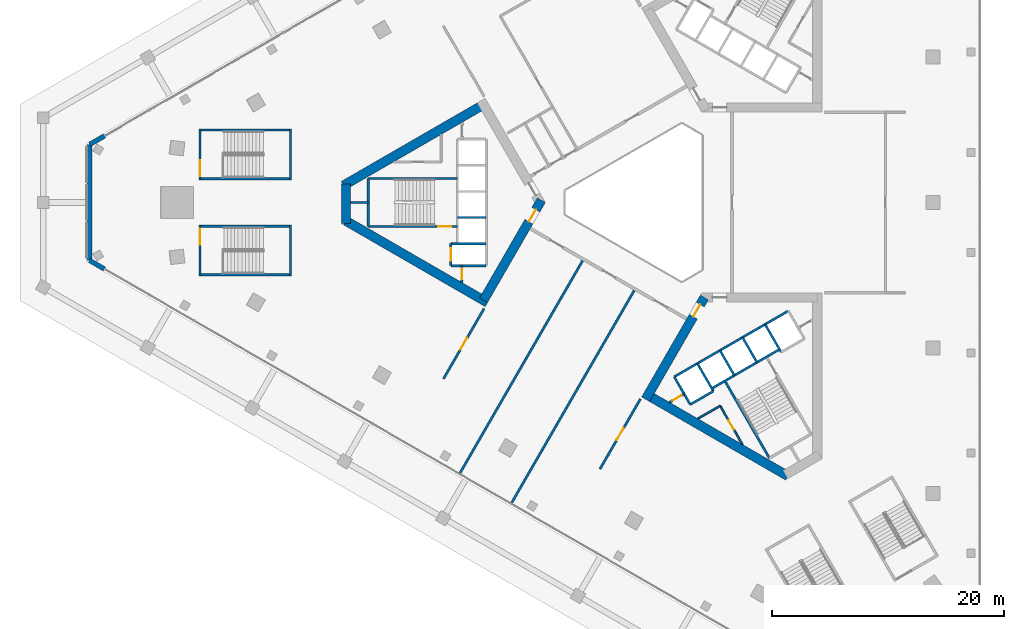
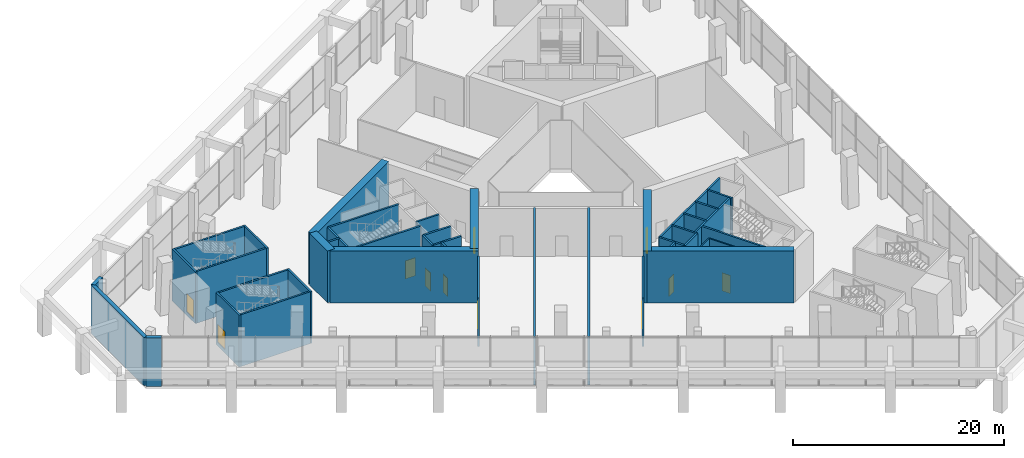
# One storey, part 26 of 51: 42 walls, 11 doors, 11 openings.
"""IFC4 building model written with IfcOpenShell, lengths in metres."""

from ifc_helpers import new_model, si_unit, direction, frame, frame_2d, origin, place, context, subcontext, project, spatial, rectangle, extrude, material, layer, layer_set, type_object, element, fill, save


model = new_model("IFC4")

# Units and contexts
model_context = context("Model", 3, precision=1e-05, world=origin(), true_north=direction((0.0, 1.0)))
body_context = subcontext(model_context, "Body", "Model", "MODEL_VIEW")
ifc_project = project(units=[si_unit("LENGTHUNIT", "METRE"), si_unit("AREAUNIT", "SQUARE_METRE"), si_unit("VOLUMEUNIT", "CUBIC_METRE"), si_unit("PLANEANGLEUNIT", "RADIAN"), si_unit("MASSUNIT", "GRAM", prefix="KILO")], contexts=[model_context])

# Site, building, storey
site_placement = place(None, origin())
site = spatial("IfcSite", under=ifc_project, at=site_placement, CompositionType="ELEMENT")
building_placement = place(site_placement, origin())
building = spatial("IfcBuilding", under=site, at=building_placement, Name="Jabali Bay Hotel Tower and Convention Centre", CompositionType="ELEMENT")
storey_placement = place(building_placement, frame((0.0, 0.0, 9.0)))
storey = spatial("IfcBuildingStorey", under=building, at=storey_placement, Name="L01", CompositionType="ELEMENT", Elevation=9.0)

# Wall
ifc_material_1 = material(Name="Concrete C40", Category="concrete")
ifc_layer_1 = layer(ifc_material_1, 0.199951171875)
ifc_layer_set_1 = layer_set([ifc_layer_1], Name="Concrete C40")
wall_type_1 = type_object("IfcWallType", Name="Core partition wall 200", PredefinedType="PARTITIONING", material=ifc_layer_set_1)
wall_1_placement = place(storey_placement, frame((50.820068359375, 80.0, 0.0), z_axis=(0.0, 0.0, 1.0), x_axis=(-1.0, 0.0, 0.0)))
element("IfcWall", 1, at=wall_1_placement, inside=storey, type_object=wall_type_1, Name="Core wall 0.5 L01", PredefinedType="PARTITIONING", context=body_context, shape_type="SweptSolid", body=[
    extrude(rectangle(XDim=1.623046875, YDim=0.199951171875, at=frame_2d((0.8115234375, 0.0))), origin(), (0.0, 0.0, 1.0), 5.60009765625),
])

# Wall, opening, door
wall_2_placement = place(storey_placement, frame((58.800048828125, 74.550048828125, 0.0), z_axis=(0.0, 0.0, 1.0), x_axis=(0.0, -1.0, 0.0)))
wall_2 = element("IfcWall", 2, at=wall_2_placement, inside=storey, type_object=wall_type_1, Name="Core wall 0.12 L01", PredefinedType="PARTITIONING", context=body_context, shape_type="SweptSolid", body=[
    extrude(rectangle(XDim=1.455078125, YDim=0.199951171875, at=frame_2d((0.7275390625, 0.0))), origin(), (0.0, 0.0, 1.0), 5.60009765625),
])
opening_1_placement = place(wall_2_placement, frame((0.277587890625, 0.0, 0.0)))
opening_1 = element("IfcOpeningElement", 3, at=opening_1_placement, cuts=wall_2, Name="Opening D128", PredefinedType="OPENING", context=body_context, shape_type="SweptSolid", body=[
    extrude(rectangle(XDim=0.89990234375, YDim=2.10009765625, at=frame_2d((0.449951171875, 1.050048828125))), frame((0.0, 0.1103515625, 0.0), z_axis=(0.0, -1.0, 0.0), x_axis=(1.0, 0.0, 0.0)), (0.0, 0.0, 1.0), 0.220947265625),
])
ifc_material_2 = material(Name="Fire-rated steel door", Category="steel")
door_type_1 = type_object("IfcDoorType", Name="Vestibule fire door 900 x 2100", OperationType="NOTDEFINED", PredefinedType="NOTDEFINED", material=ifc_material_2)
door_1_placement = place(opening_1_placement, origin())
door_1 = element("IfcDoor", 4, at=door_1_placement, inside=storey, type_object=door_type_1, Name="Vestibule fire door D128", OperationType="SINGLE_SWING_LEFT", OverallHeight=2.10009765625, OverallWidth=0.89990234375, PredefinedType="NOTDEFINED", context=body_context, shape_type="SweptSolid", body=[
    extrude(rectangle(XDim=0.89990234375, YDim=2.10009765625, at=frame_2d((0.449951171875, 1.050048828125))), frame((0.0, 0.02490234375, 0.0), z_axis=(0.0, -1.0, 0.0), x_axis=(1.0, 0.0, 0.0)), (0.0, 0.0, 1.0), 0.050048828125),
])
fill(opening_1, door_1)

wall_3_placement = place(storey_placement, frame((76.719970703125, 62.748779296875, 0.0), z_axis=(0.0, 0.0, 1.0), x_axis=(0.866054810376, 0.49994906283, 0.0)))
wall_3 = element("IfcWall", 5, at=wall_3_placement, inside=storey, type_object=wall_type_1, Name="Core wall 2.11 L01", PredefinedType="PARTITIONING", context=body_context, shape_type="SweptSolid", body=[
    extrude(rectangle(XDim=1.461181640625, YDim=0.199951171875, at=frame_2d((0.73046875, 0.0))), origin(), (0.0, 0.0, 1.0), 5.60009765625),
])
opening_2_placement = place(wall_3_placement, frame((0.280517578125, 0.0, 0.0)))
opening_2 = element("IfcOpeningElement", 6, at=opening_2_placement, cuts=wall_3, Name="Opening D141", PredefinedType="OPENING", context=body_context, shape_type="SweptSolid", body=[
    extrude(rectangle(XDim=0.89990234375, YDim=2.10009765625, at=frame_2d((0.449951171875, 1.050048828125))), frame((0.0, 0.1103515625, 0.0), z_axis=(0.0, -1.0, 0.0), x_axis=(1.0, 0.0, 0.0)), (0.0, 0.0, 1.0), 0.220947265625),
])
door_2_placement = place(opening_2_placement, origin())
door_2 = element("IfcDoor", 7, at=door_2_placement, inside=storey, type_object=door_type_1, Name="Vestibule fire door D141", OperationType="SINGLE_SWING_LEFT", OverallHeight=2.10009765625, OverallWidth=0.89990234375, PredefinedType="NOTDEFINED", context=body_context, shape_type="SweptSolid", body=[
    extrude(rectangle(XDim=0.89990234375, YDim=2.10009765625, at=frame_2d((0.449951171875, 1.050048828125))), frame((0.0, 0.02490234375, 0.0), z_axis=(0.0, -1.0, 0.0), x_axis=(1.0, 0.0, 0.0)), (0.0, 0.0, 1.0), 0.050048828125),
])
fill(opening_2, door_2)

ifc_material_3 = material(Name="Fire-rated board partition")
ifc_layer_2 = layer(ifc_material_3, 0.14990234375)
ifc_layer_set_2 = layer_set([ifc_layer_2], Name="Fire-rated board partition")
wall_type_2 = type_object("IfcWallType", Name="Core room partition 150", PredefinedType="PARTITIONING", material=ifc_layer_set_2)
wall_4_placement = place(storey_placement, frame((81.093994140625, 62.445068359375, 0.0), z_axis=(0.0, 0.0, 1.0), x_axis=(0.499987921047, -0.866032377459, 0.0)))
wall_4 = element("IfcWall", 8, at=wall_4_placement, inside=storey, type_object=wall_type_2, Name="Core wall 2.1 L01", PredefinedType="PARTITIONING", context=body_context, shape_type="SweptSolid", body=[
    extrude(rectangle(XDim=3.84765625, YDim=0.14990234375, at=frame_2d((1.923828125, 0.0))), origin(), (0.0, 0.0, 1.0), 5.60009765625),
])
opening_3_placement = place(wall_4_placement, frame((1.446533203125, 0.0, 0.0)))
opening_3 = element("IfcOpeningElement", 9, at=opening_3_placement, cuts=wall_4, Name="Opening D143", PredefinedType="OPENING", context=body_context, shape_type="SweptSolid", body=[
    extrude(rectangle(XDim=0.89990234375, YDim=2.10009765625, at=frame_2d((0.449951171875, 1.050048828125))), frame((0.0, 0.08544921875, 0.0), z_axis=(0.0, -1.0, 0.0), x_axis=(1.0, 0.0, 0.0)), (0.0, 0.0, 1.0), 0.1708984375),
])
door_type_2 = type_object("IfcDoorType", Name="Core room door 900 x 2100", OperationType="NOTDEFINED", PredefinedType="NOTDEFINED", material=ifc_material_2)
door_3_placement = place(opening_3_placement, origin())
door_3 = element("IfcDoor", 10, at=door_3_placement, inside=storey, type_object=door_type_2, Name="Core room door D143", OperationType="SINGLE_SWING_LEFT", OverallHeight=2.10009765625, OverallWidth=0.89990234375, PredefinedType="NOTDEFINED", context=body_context, shape_type="SweptSolid", body=[
    extrude(rectangle(XDim=0.89990234375, YDim=2.10009765625, at=frame_2d((0.449951171875, 1.050048828125))), frame((0.0, 0.02490234375, 0.0), z_axis=(0.0, -1.0, 0.0), x_axis=(1.0, 0.0, 0.0)), (0.0, 0.0, 1.0), 0.050048828125),
])
fill(opening_3, door_3)

# Walls
wall_5_placement = place(storey_placement, frame((79.169921875, 61.334228515625, 0.0), z_axis=(0.0, 0.0, 1.0), x_axis=(0.866030041738, 0.499991966744, 0.0)))
element("IfcWall", 11, at=wall_5_placement, inside=storey, type_object=wall_type_2, Name="Core wall 2.16 L01", PredefinedType="PARTITIONING", context=body_context, shape_type="SweptSolid", body=[
    extrude(rectangle(XDim=2.2216796875, YDim=0.14990234375, at=frame_2d((1.11083984375, 0.0))), origin(), (0.0, 0.0, 1.0), 5.60009765625),
])
ifc_layer_3 = layer(ifc_material_1, 0.199951171875)
ifc_layer_set_3 = layer_set([ifc_layer_3], Name="Concrete C40")
wall_type_3 = type_object("IfcWallType", Name="Core stair wall 200", PredefinedType="SOLIDWALL", material=ifc_layer_set_3)
wall_6_placement = place(storey_placement, frame((58.419921875, 82.074951171875, 0.0), z_axis=(0.0, 0.0, 1.0), x_axis=(-1.0, 0.0, 0.0)))
element("IfcWall", 12, at=wall_6_placement, inside=storey, type_object=wall_type_3, Name="Core wall 0.3 L01", PredefinedType="SOLIDWALL", context=body_context, shape_type="SweptSolid", body=[
    extrude(rectangle(XDim=7.699951171875, YDim=0.199951171875, at=frame_2d((3.85009765625, 0.0))), origin(), (0.0, 0.0, 1.0), 5.60009765625),
])
wall_7_placement = place(storey_placement, frame((60.89990234375, 78.699951171875, 0.0), z_axis=(0.0, 0.0, 1.0), x_axis=(-1.0, 0.0, 0.0)))
element("IfcWall", 13, at=wall_7_placement, inside=storey, type_object=wall_type_3, Name="Core wall 0.6 L01", PredefinedType="SOLIDWALL", context=body_context, shape_type="SweptSolid", body=[
    extrude(rectangle(XDim=2.47998046875, YDim=0.199951171875, at=frame_2d((1.239990234375, 0.0))), origin(), (0.0, 0.0, 1.0), 5.60009765625),
])

# Wall, opening, door
wall_8_placement = place(storey_placement, frame((58.419921875, 77.925048828125, 0.0), z_axis=(0.0, 0.0, 1.0), x_axis=(-1.0, 0.0, 0.0)))
wall_8 = element("IfcWall", 14, at=wall_8_placement, inside=storey, type_object=wall_type_3, Name="Core wall 0.7 L01", PredefinedType="SOLIDWALL", context=body_context, shape_type="SweptSolid", body=[
    extrude(rectangle(XDim=7.699951171875, YDim=0.199951171875, at=frame_2d((3.85009765625, 0.0))), origin(), (0.0, 0.0, 1.0), 5.60009765625),
])
opening_4_placement = place(wall_8_placement, frame((0.550048828125, 0.0, 0.0)))
opening_4 = element("IfcOpeningElement", 15, at=opening_4_placement, cuts=wall_8, Name="Opening D130", PredefinedType="OPENING", context=body_context, shape_type="SweptSolid", body=[
    extrude(rectangle(XDim=1.10009765625, YDim=2.10009765625, at=frame_2d((0.550048828125, 1.050048828125))), frame((0.0, 0.1103515625, 0.0), z_axis=(0.0, -1.0, 0.0), x_axis=(1.0, 0.0, 0.0)), (0.0, 0.0, 1.0), 0.220947265625),
])
door_type_3 = type_object("IfcDoorType", Name="Stair fire door 1100 x 2100", OperationType="NOTDEFINED", PredefinedType="NOTDEFINED", material=ifc_material_2)
door_4_placement = place(opening_4_placement, origin())
door_4 = element("IfcDoor", 16, at=door_4_placement, inside=storey, type_object=door_type_3, Name="Stair fire door D130", OperationType="SINGLE_SWING_RIGHT", OverallHeight=2.10009765625, OverallWidth=1.10009765625, PredefinedType="NOTDEFINED", context=body_context, shape_type="SweptSolid", body=[
    extrude(rectangle(XDim=1.10009765625, YDim=2.10009765625, at=frame_2d((0.550048828125, 1.050048828125))), frame((0.0, 0.02490234375, 0.0), z_axis=(0.0, -1.0, 0.0), x_axis=(1.0, 0.0, 0.0)), (0.0, 0.0, 1.0), 0.050048828125),
])
fill(opening_4, door_4)

# Walls
for number, where, z_axis, x_axis, name in (
    (17, (60.89990234375, 76.449951171875, 0.0), (0.0, 0.0, 1.0), (-1.0, 0.0, 0.0), "Core wall 0.8 L01"),
    (18, (60.89990234375, 74.550048828125, 0.0), (0.0, 0.0, 1.0), (-1.0, 0.0, 0.0), "Core wall 0.9 L01"),
):
    element("IfcWall", number, at=place(storey_placement, frame(where, z_axis=z_axis, x_axis=x_axis)), inside=storey, type_object=wall_type_3, Name=name, PredefinedType="SOLIDWALL", context=body_context, shape_type="SweptSolid", body=[
        extrude(rectangle(XDim=3.0498046875, YDim=0.199951171875, at=frame_2d((1.52490234375, 0.0))), origin(), (0.0, 0.0, 1.0), 5.60009765625),
    ])

# Wall, opening, door
wall_9_placement = place(storey_placement, frame((57.85009765625, 76.449951171875, 0.0), z_axis=(0.0, 0.0, 1.0), x_axis=(0.0, -1.0, 0.0)))
wall_9 = element("IfcWall", 19, at=wall_9_placement, inside=storey, type_object=wall_type_3, Name="Core wall 0.14 L01", PredefinedType="SOLIDWALL", context=body_context, shape_type="SweptSolid", body=[
    extrude(rectangle(XDim=1.89990234375, YDim=0.199951171875, at=frame_2d((0.949951171875, 0.0))), origin(), (0.0, 0.0, 1.0), 5.60009765625),
])
opening_5_placement = place(wall_9_placement, frame((0.39990234375, 0.0, 0.0)))
opening_5 = element("IfcOpeningElement", 20, at=opening_5_placement, cuts=wall_9, Name="Opening LD5-L01", PredefinedType="OPENING", context=body_context, shape_type="SweptSolid", body=[
    extrude(rectangle(XDim=1.10009765625, YDim=2.10009765625, at=frame_2d((0.550048828125, 1.050048828125))), frame((0.0, 0.1103515625, 0.0), z_axis=(0.0, -1.0, 0.0), x_axis=(1.0, 0.0, 0.0)), (0.0, 0.0, 1.0), 0.220947265625),
])
ifc_material_4 = material(Name="Stainless steel landing door", Category="steel")
door_type_4 = type_object("IfcDoorType", Name="Landing door 1100 x 2100", OperationType="NOTDEFINED", PredefinedType="NOTDEFINED", material=ifc_material_4)
door_5_placement = place(opening_5_placement, origin())
door_5 = element("IfcDoor", 21, at=door_5_placement, inside=storey, type_object=door_type_4, Name="Landing doors LD5-L01", OperationType="SLIDING_TO_RIGHT", OverallHeight=2.10009765625, OverallWidth=1.10009765625, PredefinedType="NOTDEFINED", context=body_context, shape_type="SweptSolid", body=[
    extrude(rectangle(XDim=1.10009765625, YDim=2.10009765625, at=frame_2d((0.550048828125, 1.050048828125))), frame((0.0, 0.02490234375, 0.0), z_axis=(0.0, -1.0, 0.0), x_axis=(1.0, 0.0, 0.0)), (0.0, 0.0, 1.0), 0.050048828125),
])
fill(opening_5, door_5)

# Walls
wall_10_placement = place(storey_placement, frame((50.719970703125, 82.074951171875, 0.0), z_axis=(0.0, 0.0, 1.0), x_axis=(0.0, -1.0, 0.0)))
element("IfcWall", 22, at=wall_10_placement, inside=storey, type_object=wall_type_3, Name="Core wall 0.16 L01", PredefinedType="SOLIDWALL", context=body_context, shape_type="SweptSolid", body=[
    extrude(rectangle(XDim=4.14990234375, YDim=0.199951171875, at=frame_2d((2.074951171875, 0.0))), origin(), (0.0, 0.0, 1.0), 5.60009765625),
])
for number, where, z_axis, x_axis, name in (
    (23, (77.13525390625, 64.95166015625, 0.0), (0.0, 0.0, 1.0), (0.499996545922, -0.866027397988, 0.0), "Core wall 2.0 L01"),
    (24, (79.127197265625, 66.1015625, 0.0), (0.0, 0.0, 1.0), (0.499996545922, -0.866027397988, 0.0), "Core wall 2.2 L01"),
):
    element("IfcWall", number, at=place(storey_placement, frame(where, z_axis=z_axis, x_axis=x_axis)), inside=storey, type_object=wall_type_3, Name=name, PredefinedType="SOLIDWALL", context=body_context, shape_type="SweptSolid", body=[
        extrude(rectangle(XDim=2.75, YDim=0.199951171875, at=frame_2d((1.375, 0.0))), origin(), (0.0, 0.0, 1.0), 5.60009765625),
    ])
wall_11_placement = place(storey_placement, frame((81.492919921875, 64.603759765625, 0.0), z_axis=(0.0, 0.0, 1.0), x_axis=(0.500006057782, -0.866021906294, 0.0)))
element("IfcWall", 25, at=wall_11_placement, inside=storey, type_object=wall_type_3, Name="Core wall 2.3 L01", PredefinedType="SOLIDWALL", context=body_context, shape_type="SweptSolid", body=[
    extrude(rectangle(XDim=7.7001953125, YDim=0.199951171875, at=frame_2d((3.85009765625, 0.0))), origin(), (0.0, 0.0, 1.0), 5.60009765625),
])
for number, where, z_axis, x_axis, name in (
    (26, (81.07568359375, 67.2265625, 0.0), (0.0, 0.0, 1.0), (0.50000366821, -0.866023285932, 0.0), "Core wall 2.4 L01"),
    (27, (83.024169921875, 68.3515625, 0.0), (0.0, 0.0, 1.0), (0.50000366821, -0.866023285932, 0.0), "Core wall 2.6 L01"),
):
    element("IfcWall", number, at=place(storey_placement, frame(where, z_axis=z_axis, x_axis=x_axis)), inside=storey, type_object=wall_type_3, Name=name, PredefinedType="SOLIDWALL", context=body_context, shape_type="SweptSolid", body=[
        extrude(rectangle(XDim=2.47998046875, YDim=0.199951171875, at=frame_2d((1.239990234375, 0.0))), origin(), (0.0, 0.0, 1.0), 5.60009765625),
    ])
wall_12_placement = place(storey_placement, frame((84.972900390625, 69.4765625, 0.0), z_axis=(0.0, 0.0, 1.0), x_axis=(0.499996545922, -0.866027397988, 0.0)))
element("IfcWall", 28, at=wall_12_placement, inside=storey, type_object=wall_type_3, Name="Core wall 2.8 L01", PredefinedType="SOLIDWALL", context=body_context, shape_type="SweptSolid", body=[
    extrude(rectangle(XDim=2.75, YDim=0.199951171875, at=frame_2d((1.375, 0.0))), origin(), (0.0, 0.0, 1.0), 5.60009765625),
])
wall_13_placement = place(storey_placement, frame((77.13525390625, 64.95166015625, 0.0), z_axis=(0.0, 0.0, 1.0), x_axis=(0.866031916153, 0.499988720078, 0.0)))
element("IfcWall", 29, at=wall_13_placement, inside=storey, type_object=wall_type_3, Name="Core wall 2.10 L01", PredefinedType="SOLIDWALL", context=body_context, shape_type="SweptSolid", body=[
    extrude(rectangle(XDim=11.349853515625, YDim=0.199951171875, at=frame_2d((5.6748046875, 0.0))), origin(), (0.0, 0.0, 1.0), 5.60009765625),
])
wall_14_placement = place(storey_placement, frame((80.3671875, 63.953857421875, 0.0), z_axis=(0.0, 0.0, 1.0), x_axis=(0.866026575979, 0.499997969693, 0.0)))
element("IfcWall", 30, at=wall_14_placement, inside=storey, type_object=wall_type_3, Name="Core wall 2.13 L01", PredefinedType="SOLIDWALL", context=body_context, shape_type="SweptSolid", body=[
    extrude(rectangle(XDim=6.75, YDim=0.199951171875, at=frame_2d((3.375, 0.0))), origin(), (0.0, 0.0, 1.0), 5.60009765625),
])
wall_15_placement = place(storey_placement, frame((78.51025390625, 62.570068359375, 0.0), z_axis=(0.0, 0.0, 1.0), x_axis=(0.866053019151, 0.499952165731, 0.0)))
element("IfcWall", 31, at=wall_15_placement, inside=storey, type_object=wall_type_3, Name="Core wall 2.14 L01", PredefinedType="SOLIDWALL", context=body_context, shape_type="SweptSolid", body=[
    extrude(rectangle(XDim=2.300048828125, YDim=0.199951171875, at=frame_2d((1.14990234375, 0.0))), origin(), (0.0, 0.0, 1.0), 5.60009765625),
])
ifc_material_5 = material(Name="Concrete C60", Category="concrete")
ifc_layer_4 = layer(ifc_material_5, 0.800048828125)
ifc_layer_set_4 = layer_set([ifc_layer_4], Name="Concrete C60")
wall_type_4 = type_object("IfcWallType", Name="Core wall 800", PredefinedType="SHEAR", material=ifc_layer_set_4)
wall_16_placement = place(storey_placement, frame((60.66357421875, 88.44287109375, 0.0), z_axis=(0.0, 0.0, 1.0), x_axis=(-0.866029478545, -0.499992942241, 0.0)))
element("IfcWall", 32, at=wall_16_placement, inside=storey, type_object=wall_type_4, Name="Core wall 1.2 L01", PredefinedType="SHEAR", context=body_context, shape_type="SweptSolid", body=[
    extrude(rectangle(XDim=13.933349609375, YDim=0.800048828125, at=frame_2d((6.966796875, 0.0))), origin(), (0.0, 0.0, 1.0), 6.0),
])
wall_17_placement = place(storey_placement, frame((48.796875, 81.591796875, 0.0), z_axis=(0.0, 0.0, 1.0), x_axis=(0.0, -1.0, 0.0)))
element("IfcWall", 33, at=wall_17_placement, inside=storey, type_object=wall_type_4, Name="Core wall 1.3 L01", PredefinedType="SHEAR", context=body_context, shape_type="SweptSolid", body=[
    extrude(rectangle(XDim=3.41455078125, YDim=0.800048828125, at=frame_2d((1.707275390625, 0.0))), origin(), (0.0, 0.0, 1.0), 6.0),
])
wall_18_placement = place(storey_placement, frame((48.796875, 78.408203125, 0.0), z_axis=(0.0, 0.0, 1.0), x_axis=(0.866032504327, -0.499987701298, 0.0)))
element("IfcWall", 34, at=wall_18_placement, inside=storey, type_object=wall_type_4, Name="Core wall 1.4 L01", PredefinedType="SHEAR", context=body_context, shape_type="SweptSolid", body=[
    extrude(rectangle(XDim=14.102294921875, YDim=0.800048828125, at=frame_2d((7.05126953125, 0.0))), origin(), (0.0, 0.0, 1.0), 6.0),
])

# Wall, opening, door
wall_19_placement = place(storey_placement, frame((60.66357421875, 71.55712890625, 0.0), z_axis=(0.0, 0.0, 1.0), x_axis=(0.50000409368, 0.866023040284, 0.0)))
wall_19 = element("IfcWall", 35, at=wall_19_placement, inside=storey, type_object=wall_type_4, Name="Core wall 1.5 L01", PredefinedType="SHEAR", context=body_context, shape_type="SweptSolid", body=[
    extrude(rectangle(XDim=9.97998046875, YDim=0.800048828125, at=frame_2d((4.989990234375, 0.0))), origin(), (0.0, 0.0, 1.0), 6.0),
])
opening_6_placement = place(wall_19_placement, frame((7.830078125, 0.0, 0.0)))
opening_6 = element("IfcOpeningElement", 36, at=opening_6_placement, cuts=wall_19, Name="Opening D127", PredefinedType="OPENING", context=body_context, shape_type="SweptSolid", body=[
    extrude(rectangle(XDim=1.199951171875, YDim=2.10009765625, at=frame_2d((0.60009765625, 1.050048828125))), frame((0.0, 0.41064453125, 0.0), z_axis=(0.0, -1.0, 0.0), x_axis=(1.0, 0.0, 0.0)), (0.0, 0.0, 1.0), 0.821044921875),
])
door_type_5 = type_object("IfcDoorType", Name="Corridor end fire door 1200 x 2100", OperationType="NOTDEFINED", PredefinedType="NOTDEFINED", material=ifc_material_2)
door_6_placement = place(opening_6_placement, origin())
door_6 = element("IfcDoor", 37, at=door_6_placement, inside=storey, type_object=door_type_5, Name="Corridor end fire door D127", OperationType="SINGLE_SWING_LEFT", OverallHeight=2.10009765625, OverallWidth=1.199951171875, PredefinedType="NOTDEFINED", context=body_context, shape_type="SweptSolid", body=[
    extrude(rectangle(XDim=1.199951171875, YDim=2.10009765625, at=frame_2d((0.60009765625, 1.050048828125))), frame((0.0, 0.02490234375, 0.0), z_axis=(0.0, -1.0, 0.0), x_axis=(1.0, 0.0, 0.0)), (0.0, 0.0, 1.0), 0.050048828125),
])
fill(opening_6, door_6)

wall_20_placement = place(storey_placement, frame((79.73095703125, 71.8056640625, 0.0), z_axis=(0.0, 0.0, 1.0), x_axis=(-0.49999662545, -0.866027352073, 0.0)))
wall_20 = element("IfcWall", 38, at=wall_20_placement, inside=storey, type_object=wall_type_4, Name="Core wall 3.1 L01", PredefinedType="SHEAR", context=body_context, shape_type="SweptSolid", body=[
    extrude(rectangle(XDim=10.14892578125, YDim=0.800048828125, at=frame_2d((5.074462890625, 0.0))), origin(), (0.0, 0.0, 1.0), 6.0),
])
opening_7_placement = place(wall_20_placement, frame((0.718994140625, 0.0, 0.0)))
opening_7 = element("IfcOpeningElement", 39, at=opening_7_placement, cuts=wall_20, Name="Opening D138", PredefinedType="OPENING", context=body_context, shape_type="SweptSolid", body=[
    extrude(rectangle(XDim=1.199951171875, YDim=2.10009765625, at=frame_2d((0.60009765625, 1.050048828125))), frame((0.0, 0.41064453125, 0.0), z_axis=(0.0, -1.0, 0.0), x_axis=(1.0, 0.0, 0.0)), (0.0, 0.0, 1.0), 0.821044921875),
])
door_7_placement = place(opening_7_placement, origin())
door_7 = element("IfcDoor", 40, at=door_7_placement, inside=storey, type_object=door_type_5, Name="Corridor end fire door D138", OperationType="SINGLE_SWING_RIGHT", OverallHeight=2.10009765625, OverallWidth=1.199951171875, PredefinedType="NOTDEFINED", context=body_context, shape_type="SweptSolid", body=[
    extrude(rectangle(XDim=1.199951171875, YDim=2.10009765625, at=frame_2d((0.60009765625, 1.050048828125))), frame((0.0, 0.02490234375, 0.0), z_axis=(0.0, -1.0, 0.0), x_axis=(1.0, 0.0, 0.0)), (0.0, 0.0, 1.0), 0.050048828125),
])
fill(opening_7, door_7)

# Walls
wall_21_placement = place(storey_placement, frame((74.8564453125, 63.36279296875, 0.0), z_axis=(0.0, 0.0, 1.0), x_axis=(0.866029478545, -0.499992942241, 0.0)))
element("IfcWall", 41, at=wall_21_placement, inside=storey, type_object=wall_type_4, Name="Core wall 3.2 L01", PredefinedType="SHEAR", context=body_context, shape_type="SweptSolid", body=[
    extrude(rectangle(XDim=13.933349609375, YDim=0.800048828125, at=frame_2d((6.966796875, 0.0))), origin(), (0.0, 0.0, 1.0), 6.0),
])
ifc_material_6 = material(Name="Plasterboard on steel stud", Category="steel")
ifc_layer_5 = layer(ifc_material_6, 0.199951171875)
ifc_layer_set_5 = layer_set([ifc_layer_5], Name="Plasterboard on steel stud")
wall_type_5 = type_object("IfcWallType", Name="Partition 200 party", PredefinedType="PARTITIONING", material=ifc_layer_set_5)
wall_22_placement = place(storey_placement, frame((58.616943359375, 56.612060546875, 0.0), z_axis=(0.0, 0.0, 1.0), x_axis=(0.500000322675, 0.866025217488, 0.0)))
element("IfcWall", 42, at=wall_22_placement, inside=storey, type_object=wall_type_5, Name="Partition P01 L01 014", PredefinedType="PARTITIONING", context=body_context, shape_type="SweptSolid", body=[
    extrude(rectangle(XDim=21.34619140625, YDim=0.199951171875, at=frame_2d((10.673095703125, 0.0))), origin(), (0.0, 0.0, 1.0), 5.60009765625),
])

# Wall, opening, door
wall_23_placement = place(storey_placement, frame((60.71044921875, 70.83837890625, 0.0), z_axis=(0.0, 0.0, 1.0), x_axis=(-0.499979261727, -0.866037376701, 0.0)))
wall_23 = element("IfcWall", 43, at=wall_23_placement, inside=storey, type_object=wall_type_5, Name="Partition P01 L01 015", PredefinedType="PARTITIONING", context=body_context, shape_type="SweptSolid", body=[
    extrude(rectangle(XDim=6.994873046875, YDim=0.199951171875, at=frame_2d((3.49755859375, 0.0))), origin(), (0.0, 0.0, 1.0), 5.60009765625),
])
opening_8_placement = place(wall_23_placement, frame((2.89697265625, 0.0, 0.0)))
opening_8 = element("IfcOpeningElement", 44, at=opening_8_placement, cuts=wall_23, Name="Opening 0111", PredefinedType="OPENING", context=body_context, shape_type="SweptSolid", body=[
    extrude(rectangle(XDim=1.199951171875, YDim=2.39990234375, at=frame_2d((0.60009765625, 1.199951171875))), frame((0.0, 0.1103515625, 0.0), z_axis=(0.0, -1.0, 0.0), x_axis=(1.0, 0.0, 0.0)), (0.0, 0.0, 1.0), 0.220947265625),
])
ifc_material_7 = material(Name="Timber", Category="wood")
door_type_6 = type_object("IfcDoorType", Name="Public room door 1200 x 2400", OperationType="NOTDEFINED", PredefinedType="NOTDEFINED", material=ifc_material_7)
door_8_placement = place(opening_8_placement, origin())
door_8 = element("IfcDoor", 45, at=door_8_placement, inside=storey, type_object=door_type_6, Name="Door 0111", OperationType="SINGLE_SWING_RIGHT", OverallHeight=2.39990234375, OverallWidth=1.199951171875, PredefinedType="NOTDEFINED", context=body_context, shape_type="SweptSolid", body=[
    extrude(rectangle(XDim=1.199951171875, YDim=2.39990234375, at=frame_2d((0.60009765625, 1.199951171875))), frame((0.0, 0.02490234375, 0.0), z_axis=(0.0, -1.0, 0.0), x_axis=(1.0, 0.0, 0.0)), (0.0, 0.0, 1.0), 0.050048828125),
])
fill(opening_8, door_8)

# Wall
wall_24_placement = place(storey_placement, frame((63.072021484375, 54.0400390625, 0.0), z_axis=(0.0, 0.0, 1.0), x_axis=(0.500005275173, 0.86602235814, 0.0)))
element("IfcWall", 46, at=wall_24_placement, inside=storey, type_object=wall_type_5, Name="Partition P01 L01 016", PredefinedType="PARTITIONING", context=body_context, shape_type="SweptSolid", body=[
    extrude(rectangle(XDim=21.345947265625, YDim=0.199951171875, at=frame_2d((10.6728515625, 0.0))), origin(), (0.0, 0.0, 1.0), 5.60009765625),
])

# Wall, opening, door
wall_25_placement = place(storey_placement, frame((70.713134765625, 56.986328125, 0.0), z_axis=(0.0, 0.0, 1.0), x_axis=(0.499979261727, 0.866037376701, 0.0)))
wall_25 = element("IfcWall", 47, at=wall_25_placement, inside=storey, type_object=wall_type_5, Name="Partition P01 L01 017", PredefinedType="PARTITIONING", context=body_context, shape_type="SweptSolid", body=[
    extrude(rectangle(XDim=6.994873046875, YDim=0.199951171875, at=frame_2d((3.49755859375, 0.0))), origin(), (0.0, 0.0, 1.0), 5.60009765625),
])
opening_9_placement = place(wall_25_placement, frame((2.89697265625, 0.0, 0.0)))
opening_9 = element("IfcOpeningElement", 48, at=opening_9_placement, cuts=wall_25, Name="Opening 0113", PredefinedType="OPENING", context=body_context, shape_type="SweptSolid", body=[
    extrude(rectangle(XDim=1.199951171875, YDim=2.39990234375, at=frame_2d((0.60009765625, 1.199951171875))), frame((0.0, 0.1103515625, 0.0), z_axis=(0.0, -1.0, 0.0), x_axis=(1.0, 0.0, 0.0)), (0.0, 0.0, 1.0), 0.220947265625),
])
door_9_placement = place(opening_9_placement, origin())
door_9 = element("IfcDoor", 49, at=door_9_placement, inside=storey, type_object=door_type_6, Name="Door 0113", OperationType="SINGLE_SWING_LEFT", OverallHeight=2.39990234375, OverallWidth=1.199951171875, PredefinedType="NOTDEFINED", context=body_context, shape_type="SweptSolid", body=[
    extrude(rectangle(XDim=1.199951171875, YDim=2.39990234375, at=frame_2d((0.60009765625, 1.199951171875))), frame((0.0, 0.02490234375, 0.0), z_axis=(0.0, -1.0, 0.0), x_axis=(1.0, 0.0, 0.0)), (0.0, 0.0, 1.0), 0.050048828125),
])
fill(opening_9, door_9)

# Walls
ifc_layer_6 = layer(ifc_material_1, 0.39990234375)
ifc_layer_set_6 = layer_set([ifc_layer_6], Name="Concrete C40")
wall_type_6 = type_object("IfcWallType", Name="Podium external wall 400", PredefinedType="SOLIDWALL", material=ifc_layer_set_6)
wall_26_placement = place(storey_placement, frame((26.66015625, 85.0, 0.0), z_axis=(0.0, 0.0, 1.0), x_axis=(0.866031096941, 0.499990139034, 0.0)))
element("IfcWall", 50, at=wall_26_placement, inside=storey, type_object=wall_type_6, Name="External wall north-west face L01", PredefinedType="SOLIDWALL", context=body_context, shape_type="SweptSolid", body=[
    extrude(rectangle(XDim=1.5, YDim=0.39990234375, at=frame_2d((0.75, 0.0))), origin(), (0.0, 0.0, 1.0), 5.60009765625),
])
wall_27_placement = place(storey_placement, frame((26.66015625, 75.0, 0.0), z_axis=(0.0, 0.0, 1.0), x_axis=(0.0, 1.0, 0.0)))
element("IfcWall", 51, at=wall_27_placement, inside=storey, type_object=wall_type_6, Name="External wall west chamfer L01", PredefinedType="SOLIDWALL", context=body_context, shape_type="SweptSolid", body=[
    extrude(rectangle(XDim=10.0, YDim=0.39990234375, at=frame_2d((5.0, 0.0))), origin(), (0.0, 0.0, 1.0), 5.60009765625),
])
wall_28_placement = place(storey_placement, frame((27.959228515625, 74.25, 0.0), z_axis=(0.0, 0.0, 1.0), x_axis=(-0.866031096941, 0.499990139034, 0.0)))
element("IfcWall", 52, at=wall_28_placement, inside=storey, type_object=wall_type_6, Name="External wall south-west face L01", PredefinedType="SOLIDWALL", context=body_context, shape_type="SweptSolid", body=[
    extrude(rectangle(XDim=1.5, YDim=0.39990234375, at=frame_2d((0.75, 0.0))), origin(), (0.0, 0.0, 1.0), 5.60009765625),
])

# Wall, opening, door
ifc_layer_7 = layer(ifc_material_1, 0.199951171875)
ifc_layer_set_7 = layer_set([ifc_layer_7], Name="Concrete C40")
wall_type_7 = type_object("IfcWallType", Name="Podium stair enclosure wall 200", PredefinedType="SOLIDWALL", material=ifc_layer_set_7)
wall_29_placement = place(storey_placement, frame((36.199951171875, 78.050048828125, -0.39990234375), z_axis=(0.0, 0.0, 1.0), x_axis=(0.0, -1.0, 0.0)))
wall_29 = element("IfcWall", 53, at=wall_29_placement, inside=storey, type_object=wall_type_7, Name="Podium stair wall 1.1 L01", PredefinedType="SOLIDWALL", context=body_context, shape_type="SweptSolid", body=[
    extrude(rectangle(XDim=4.400146484375, YDim=0.199951171875, at=frame_2d((2.2001953125, 0.0))), origin(), (0.0, 0.0, 1.0), 6.0),
])
opening_10_placement = place(wall_29_placement, frame((0.300048828125, 0.0, 0.39990234375)))
opening_10 = element("IfcOpeningElement", 54, at=opening_10_placement, cuts=wall_29, Name="Opening D1737", PredefinedType="OPENING", context=body_context, shape_type="SweptSolid", body=[
    extrude(rectangle(XDim=1.39990234375, YDim=2.10009765625, at=frame_2d((0.699951171875, 1.050048828125))), frame((0.0, 0.1103515625, 0.0), z_axis=(0.0, -1.0, 0.0), x_axis=(1.0, 0.0, 0.0)), (0.0, 0.0, 1.0), 0.220947265625),
])
door_type_7 = type_object("IfcDoorType", Name="Podium stair fire door 1400 x 2100", OperationType="NOTDEFINED", PredefinedType="NOTDEFINED", material=ifc_material_2)
door_10_placement = place(opening_10_placement, origin())
door_10 = element("IfcDoor", 55, at=door_10_placement, inside=storey, type_object=door_type_7, Name="Podium stair fire door D1737", OperationType="SINGLE_SWING_RIGHT", OverallHeight=2.10009765625, OverallWidth=1.39990234375, PredefinedType="NOTDEFINED", context=body_context, shape_type="SweptSolid", body=[
    extrude(rectangle(XDim=1.39990234375, YDim=2.10009765625, at=frame_2d((0.699951171875, 1.050048828125))), frame((0.0, 0.02490234375, 0.0), z_axis=(0.0, -1.0, 0.0), x_axis=(1.0, 0.0, 0.0)), (0.0, 0.0, 1.0), 0.050048828125),
])
fill(opening_10, door_10)

# Walls
wall_30_placement = place(storey_placement, frame((36.10009765625, 73.75, -0.39990234375), z_axis=(0.0, 0.0, 1.0), x_axis=(1.0, 0.0, 0.0)))
element("IfcWall", 56, at=wall_30_placement, inside=storey, type_object=wall_type_7, Name="Podium stair wall 1.2 L01", PredefinedType="SOLIDWALL", context=body_context, shape_type="SweptSolid", body=[
    extrude(rectangle(XDim=8.0, YDim=0.199951171875, at=frame_2d((4.0, 0.0))), origin(), (0.0, 0.0, 1.0), 6.0),
])
wall_31_placement = place(storey_placement, frame((44.0, 73.64990234375, -0.39990234375), z_axis=(0.0, 0.0, 1.0), x_axis=(0.0, 1.0, 0.0)))
element("IfcWall", 57, at=wall_31_placement, inside=storey, type_object=wall_type_7, Name="Podium stair wall 1.3 L01", PredefinedType="SOLIDWALL", context=body_context, shape_type="SweptSolid", body=[
    extrude(rectangle(XDim=4.400146484375, YDim=0.199951171875, at=frame_2d((2.2001953125, 0.0))), origin(), (0.0, 0.0, 1.0), 6.0),
])
wall_32_placement = place(storey_placement, frame((44.10009765625, 77.949951171875, -0.39990234375), z_axis=(0.0, 0.0, 1.0), x_axis=(-1.0, 0.0, 0.0)))
element("IfcWall", 58, at=wall_32_placement, inside=storey, type_object=wall_type_7, Name="Podium stair wall 1.4 L01", PredefinedType="SOLIDWALL", context=body_context, shape_type="SweptSolid", body=[
    extrude(rectangle(XDim=8.0, YDim=0.199951171875, at=frame_2d((4.0, 0.0))), origin(), (0.0, 0.0, 1.0), 6.0),
])

# Wall, opening, door
wall_33_placement = place(storey_placement, frame((36.199951171875, 86.35009765625, -0.39990234375), z_axis=(0.0, 0.0, 1.0), x_axis=(0.0, -1.0, 0.0)))
wall_33 = element("IfcWall", 59, at=wall_33_placement, inside=storey, type_object=wall_type_7, Name="Podium stair wall 2.1 L01", PredefinedType="SOLIDWALL", context=body_context, shape_type="SweptSolid", body=[
    extrude(rectangle(XDim=4.400146484375, YDim=0.199951171875, at=frame_2d((2.2001953125, 0.0))), origin(), (0.0, 0.0, 1.0), 6.0),
])
opening_11_placement = place(wall_33_placement, frame((2.699951171875, 0.0, 0.39990234375)))
opening_11 = element("IfcOpeningElement", 60, at=opening_11_placement, cuts=wall_33, Name="Opening D1742", PredefinedType="OPENING", context=body_context, shape_type="SweptSolid", body=[
    extrude(rectangle(XDim=1.39990234375, YDim=2.10009765625, at=frame_2d((0.699951171875, 1.050048828125))), frame((0.0, 0.1103515625, 0.0), z_axis=(0.0, -1.0, 0.0), x_axis=(1.0, 0.0, 0.0)), (0.0, 0.0, 1.0), 0.220947265625),
])
door_11_placement = place(opening_11_placement, origin())
door_11 = element("IfcDoor", 61, at=door_11_placement, inside=storey, type_object=door_type_7, Name="Podium stair fire door D1742", OperationType="SINGLE_SWING_RIGHT", OverallHeight=2.10009765625, OverallWidth=1.39990234375, PredefinedType="NOTDEFINED", context=body_context, shape_type="SweptSolid", body=[
    extrude(rectangle(XDim=1.39990234375, YDim=2.10009765625, at=frame_2d((0.699951171875, 1.050048828125))), frame((0.0, 0.02490234375, 0.0), z_axis=(0.0, -1.0, 0.0), x_axis=(1.0, 0.0, 0.0)), (0.0, 0.0, 1.0), 0.050048828125),
])
fill(opening_11, door_11)

# Walls
wall_34_placement = place(storey_placement, frame((36.10009765625, 82.050048828125, -0.39990234375), z_axis=(0.0, 0.0, 1.0), x_axis=(1.0, 0.0, 0.0)))
element("IfcWall", 62, at=wall_34_placement, inside=storey, type_object=wall_type_7, Name="Podium stair wall 2.2 L01", PredefinedType="SOLIDWALL", context=body_context, shape_type="SweptSolid", body=[
    extrude(rectangle(XDim=8.0, YDim=0.199951171875, at=frame_2d((4.0, 0.0))), origin(), (0.0, 0.0, 1.0), 6.0),
])
wall_35_placement = place(storey_placement, frame((44.0, 81.949951171875, -0.39990234375), z_axis=(0.0, 0.0, 1.0), x_axis=(0.0, 1.0, 0.0)))
element("IfcWall", 63, at=wall_35_placement, inside=storey, type_object=wall_type_7, Name="Podium stair wall 2.3 L01", PredefinedType="SOLIDWALL", context=body_context, shape_type="SweptSolid", body=[
    extrude(rectangle(XDim=4.400146484375, YDim=0.199951171875, at=frame_2d((2.2001953125, 0.0))), origin(), (0.0, 0.0, 1.0), 6.0),
])
wall_36_placement = place(storey_placement, frame((44.10009765625, 86.25, -0.39990234375), z_axis=(0.0, 0.0, 1.0), x_axis=(-1.0, 0.0, 0.0)))
element("IfcWall", 64, at=wall_36_placement, inside=storey, type_object=wall_type_7, Name="Podium stair wall 2.4 L01", PredefinedType="SOLIDWALL", context=body_context, shape_type="SweptSolid", body=[
    extrude(rectangle(XDim=8.0, YDim=0.199951171875, at=frame_2d((4.0, 0.0))), origin(), (0.0, 0.0, 1.0), 6.0),
])

save(model, "model.ifc")
